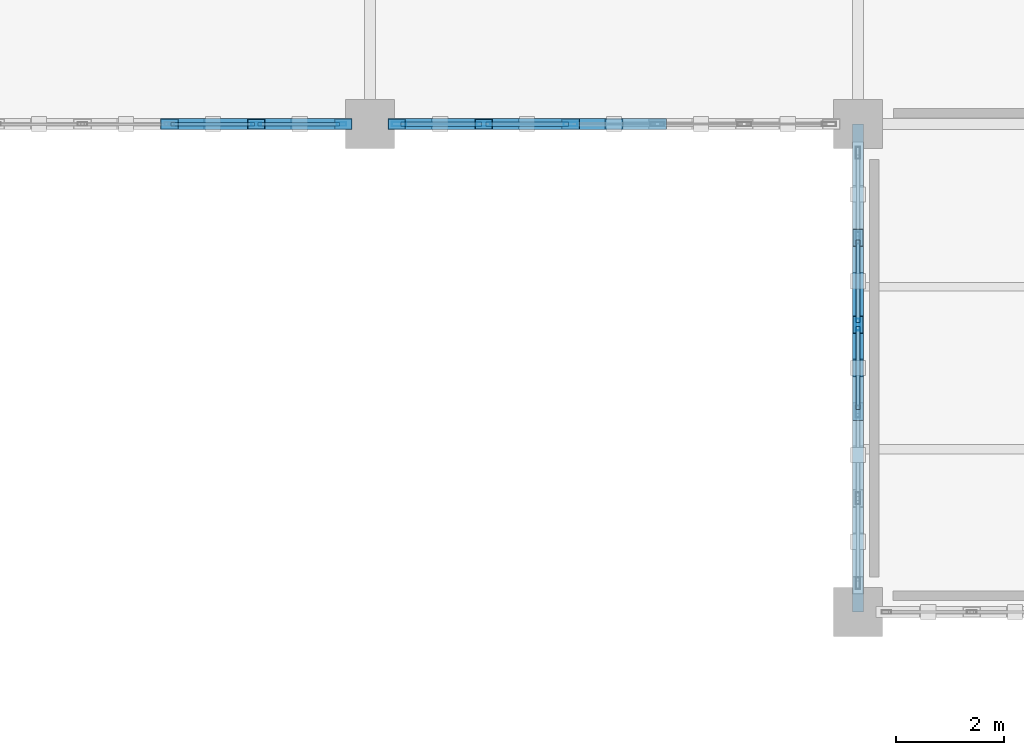
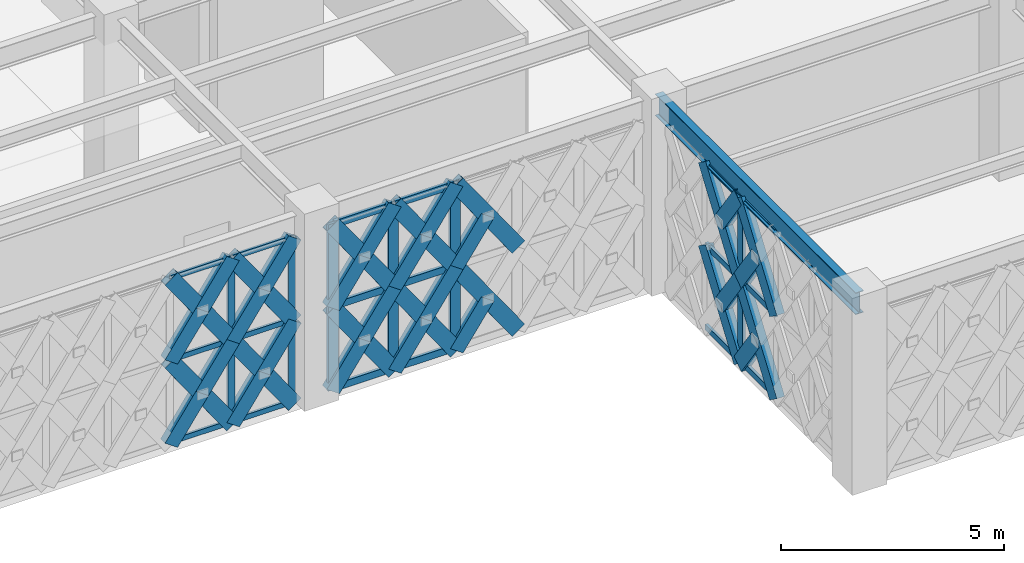
# One storey, part 12 of 155: 60 members, 1 beam, 3 elements without a shape of their own.
"""IFC4 building model written with IfcOpenShell, lengths in metres."""

from ifc_helpers import new_model, si_unit, direction, frame, origin, origin_2d, place, context, subcontext, project, spatial, hollow_rectangle, i_section, extrude, material, material_profile, profile_set, type_object, element, aggregate, save


model = new_model("IFC4")

# Units and contexts
model_context = context("Model", 3, precision=1e-05, world=origin(), true_north=direction((0.0, 1.0)))
body_context = subcontext(model_context, "Body", "Model", "MODEL_VIEW")
ifc_project = project(units=[si_unit("LENGTHUNIT", "METRE"), si_unit("AREAUNIT", "SQUARE_METRE"), si_unit("VOLUMEUNIT", "CUBIC_METRE"), si_unit("PLANEANGLEUNIT", "RADIAN"), si_unit("MASSUNIT", "GRAM", prefix="KILO")], contexts=[model_context])

# Site, building, storey
site_placement = place(None, origin())
site = spatial("IfcSite", under=ifc_project, at=site_placement, CompositionType="ELEMENT")
building_placement = place(site_placement, origin())
building = spatial("IfcBuilding", under=site, at=building_placement, Name="Haizhuo Lancet Aquarium", CompositionType="ELEMENT")
storey_placement = place(building_placement, frame((0.0, 0.0, 10.800048828125)))
storey = spatial("IfcBuildingStorey", under=building, at=storey_placement, Name="L02", CompositionType="ELEMENT", Elevation=10.800048828125)

# Beam
ifc_material_1 = material(Name="Steel S355", Category="steel")
ifc_material_profile_1 = material_profile(ifc_material_1, i_section(OverallWidth=0.199951171875, OverallDepth=0.60009765625, WebThickness=0.010986328125, FlangeThickness=0.01708984375, FilletRadius=0.02197265625, at=origin_2d()), Name="HN 600x200x11x17")
ifc_profile_set_1 = profile_set([ifc_material_profile_1], Name="Steel S355")
beam_type = type_object("IfcBeamType", Name="BM-ST-HN600", PredefinedType="BEAM", material=ifc_profile_set_1)
beam_placement = place(storey_placement, frame((-54.0, -36.0, 4.85986328125), z_axis=(0.0, 1.0, 0.0), x_axis=(-1.0, 0.0, 0.0)))
element("IfcBeam", 1, at=beam_placement, inside=storey, type_object=beam_type, Name="L02 V6 primary girder BM-L02-V6-014", PredefinedType="BEAM", context=body_context, shape_type="SweptSolid", body=[
    extrude(i_section(OverallWidth=0.199951171875, OverallDepth=0.60009765625, WebThickness=0.010986328125, FlangeThickness=0.01708984375, FilletRadius=0.02197265625, at=origin_2d()), origin(), (0.0, 0.0, 1.0), 9.0),
])

# Curtain wall, members
ifc_material_2 = material(Name="Aluminium 6063-T6", Category="aluminium")
curtain_wall_type = type_object("IfcCurtainWallType", Name="CWD-8010x4560", PredefinedType="NOTDEFINED", material=ifc_material_2)
curtain_wall_1_placement = place(storey_placement, origin())
curtain_wall_1 = element("IfcCurtainWall", 2, at=curtain_wall_1_placement, inside=storey, type_object=curtain_wall_type, Name="L02 curtain wall CW-V6-L02-226", PredefinedType="NOTDEFINED")
ifc_material_profile_2 = material_profile(ifc_material_2, hollow_rectangle(XDim=0.06494140625, YDim=0.179931640625, WallThickness=0.00390625, at=origin_2d()), Name="ALU-M 65x180x4")
ifc_profile_set_2 = profile_set([ifc_material_profile_2], Name="Aluminium 6063-T6")
member_type_1 = type_object("IfcMemberType", Name="CW-MUL-1", PredefinedType="MULLION", material=ifc_profile_set_2)
member_1_placement = place(storey_placement, frame((-63.527099609375, -27.0, 0.0), z_axis=(0.0, 0.0, 1.0), x_axis=(0.0, -1.0, 0.0)))
member_1 = element("IfcMember", 3, at=member_1_placement, type_object=member_type_1, Name="CWD-80x45 mullion 1", PredefinedType="MULLION", context=body_context, shape_type="SweptSolid", body=[
    extrude(hollow_rectangle(XDim=0.06494140625, YDim=0.179931640625, WallThickness=0.00390625, at=origin_2d()), origin(), (0.0, 0.0, 1.0), 4.56005859375),
])
member_2_placement = place(storey_placement, frame((-65.096923828125, -27.0, 0.0), z_axis=(0.0, 0.0, 1.0), x_axis=(0.0, -1.0, 0.0)))
member_2 = element("IfcMember", 4, at=member_2_placement, type_object=member_type_1, Name="CWD-80x45 mullion 2", PredefinedType="MULLION", context=body_context, shape_type="SweptSolid", body=[
    extrude(hollow_rectangle(XDim=0.06494140625, YDim=0.179931640625, WallThickness=0.00390625, at=origin_2d()), origin(), (0.0, 0.0, 1.0), 4.56005859375),
])

# Curtain wall, member
curtain_wall_2_placement = place(storey_placement, origin())
curtain_wall_2 = element("IfcCurtainWall", 5, at=curtain_wall_2_placement, inside=storey, type_object=curtain_wall_type, Name="L02 curtain wall CW-V6-L02-224", PredefinedType="NOTDEFINED")
ifc_material_profile_3 = material_profile(ifc_material_2, hollow_rectangle(XDim=0.074951171875, YDim=0.219970703125, WallThickness=0.0048828125, at=origin_2d()), Name="ALU-M 75x220x5")
ifc_profile_set_3 = profile_set([ifc_material_profile_3], Name="Aluminium 6063-T6")
member_type_2 = type_object("IfcMemberType", Name="CW-MUL-2", PredefinedType="MULLION", material=ifc_profile_set_3)
member_3_placement = place(storey_placement, frame((-54.0, -30.698974609375, 0.0), z_axis=(0.0, 0.0, 1.0), x_axis=(-1.0, 0.0, 0.0)))
member_3 = element("IfcMember", 6, at=member_3_placement, type_object=member_type_2, Name="CWD-80x45 mullion 4", PredefinedType="MULLION", context=body_context, shape_type="SweptSolid", body=[
    extrude(hollow_rectangle(XDim=0.074951171875, YDim=0.219970703125, WallThickness=0.0048828125, at=origin_2d()), origin(), (0.0, 0.0, 1.0), 4.56005859375),
])

# Curtain wall, members
curtain_wall_3_placement = place(storey_placement, origin())
curtain_wall_3 = element("IfcCurtainWall", 7, at=curtain_wall_3_placement, inside=storey, type_object=curtain_wall_type, Name="L02 curtain wall CW-V6-L02-225", PredefinedType="NOTDEFINED")
ifc_material_profile_4 = material_profile(ifc_material_2, hollow_rectangle(XDim=0.080078125, YDim=0.260009765625, WallThickness=0.0048828125, at=origin_2d()), Name="ALU-M 80x260x5")
ifc_profile_set_4 = profile_set([ifc_material_profile_4], Name="Aluminium 6063-T6")
member_type_3 = type_object("IfcMemberType", Name="CW-MUL-3", PredefinedType="MULLION", material=ifc_profile_set_4)
member_4_placement = place(storey_placement, frame((-59.301025390625, -27.0, 0.0), z_axis=(0.0, 0.0, 1.0), x_axis=(0.0, -1.0, 0.0)))
member_4 = element("IfcMember", 8, at=member_4_placement, type_object=member_type_3, Name="CWD-80x45 mullion 4", PredefinedType="MULLION", context=body_context, shape_type="SweptSolid", body=[
    extrude(hollow_rectangle(XDim=0.080078125, YDim=0.260009765625, WallThickness=0.0048828125, at=origin_2d()), origin(), (0.0, 0.0, 1.0), 4.56005859375),
])
member_5_placement = place(storey_placement, frame((-60.903076171875, -27.0, 0.0), z_axis=(0.0, 0.0, 1.0), x_axis=(0.0, -1.0, 0.0)))
member_5 = element("IfcMember", 9, at=member_5_placement, type_object=member_type_3, Name="CWD-80x45 mullion 5", PredefinedType="MULLION", context=body_context, shape_type="SweptSolid", body=[
    extrude(hollow_rectangle(XDim=0.080078125, YDim=0.260009765625, WallThickness=0.0048828125, at=origin_2d()), origin(), (0.0, 0.0, 1.0), 4.56005859375),
])
member_6_placement = place(storey_placement, frame((-62.465087890625, -27.0, 0.0), z_axis=(0.0, 0.0, 1.0), x_axis=(0.0, -1.0, 0.0)))
member_6 = element("IfcMember", 10, at=member_6_placement, type_object=member_type_3, Name="CWD-80x45 mullion 6", PredefinedType="MULLION", context=body_context, shape_type="SweptSolid", body=[
    extrude(hollow_rectangle(XDim=0.080078125, YDim=0.260009765625, WallThickness=0.0048828125, at=origin_2d()), origin(), (0.0, 0.0, 1.0), 4.56005859375),
])

# Member
ifc_material_profile_5 = material_profile(ifc_material_2, hollow_rectangle(XDim=0.06494140625, YDim=0.139892578125, WallThickness=0.00390625, at=origin_2d()), Name="ALU-T 65x140x4")
ifc_profile_set_5 = profile_set([ifc_material_profile_5], Name="Aluminium 6063-T6")
member_type_4 = type_object("IfcMemberType", Name="CW-TRN-1", PredefinedType="NOTDEFINED", material=ifc_profile_set_5)
member_7_placement = place(storey_placement, frame((-63.56005859375, -27.0, 0.032958984375), z_axis=(-1.0, 0.0, 0.0), x_axis=(0.0, -1.0, 0.0)))
member_7 = element("IfcMember", 11, at=member_7_placement, type_object=member_type_4, Name="CWD-80x45 transom 1.1", ObjectType="TRANSOM", PredefinedType="USERDEFINED", context=body_context, shape_type="SweptSolid", body=[
    extrude(hollow_rectangle(XDim=0.06494140625, YDim=0.139892578125, WallThickness=0.00390625, at=origin_2d()), origin(), (0.0, 0.0, 1.0), 1.50390625),
])

member_8_placement = place(storey_placement, frame((-63.56005859375, -27.0, 2.280029296875), z_axis=(-1.0, 0.0, 0.0), x_axis=(0.0, -1.0, 0.0)))
member_8 = element("IfcMember", 12, at=member_8_placement, type_object=member_type_4, Name="CWD-80x45 transom 1.2", ObjectType="TRANSOM", PredefinedType="USERDEFINED", context=body_context, shape_type="SweptSolid", body=[
    extrude(hollow_rectangle(XDim=0.06494140625, YDim=0.139892578125, WallThickness=0.00390625, at=origin_2d()), origin(), (0.0, 0.0, 1.0), 1.50390625),
])

member_9_placement = place(storey_placement, frame((-63.56005859375, -27.0, 4.52685546875), z_axis=(-1.0, 0.0, 0.0), x_axis=(0.0, -1.0, 0.0)))
member_9 = element("IfcMember", 13, at=member_9_placement, type_object=member_type_4, Name="CWD-80x45 transom 1.3", ObjectType="TRANSOM", PredefinedType="USERDEFINED", context=body_context, shape_type="SweptSolid", body=[
    extrude(hollow_rectangle(XDim=0.06494140625, YDim=0.139892578125, WallThickness=0.00390625, at=origin_2d()), origin(), (0.0, 0.0, 1.0), 1.50390625),
])

member_10_placement = place(storey_placement, frame((-65.12890625, -27.0, 0.032958984375), z_axis=(-1.0, 0.0, 0.0), x_axis=(0.0, -1.0, 0.0)))
member_10 = element("IfcMember", 14, at=member_10_placement, type_object=member_type_4, Name="CWD-80x45 transom 2.1", ObjectType="TRANSOM", PredefinedType="USERDEFINED", context=body_context, shape_type="SweptSolid", body=[
    extrude(hollow_rectangle(XDim=0.06494140625, YDim=0.139892578125, WallThickness=0.00390625, at=origin_2d()), origin(), (0.0, 0.0, 1.0), 1.537109375),
])

member_11_placement = place(storey_placement, frame((-65.12890625, -27.0, 2.280029296875), z_axis=(-1.0, 0.0, 0.0), x_axis=(0.0, -1.0, 0.0)))
member_11 = element("IfcMember", 15, at=member_11_placement, type_object=member_type_4, Name="CWD-80x45 transom 2.2", ObjectType="TRANSOM", PredefinedType="USERDEFINED", context=body_context, shape_type="SweptSolid", body=[
    extrude(hollow_rectangle(XDim=0.06494140625, YDim=0.139892578125, WallThickness=0.00390625, at=origin_2d()), origin(), (0.0, 0.0, 1.0), 1.537109375),
])

member_12_placement = place(storey_placement, frame((-65.12890625, -27.0, 4.52685546875), z_axis=(-1.0, 0.0, 0.0), x_axis=(0.0, -1.0, 0.0)))
member_12 = element("IfcMember", 16, at=member_12_placement, type_object=member_type_4, Name="CWD-80x45 transom 2.3", ObjectType="TRANSOM", PredefinedType="USERDEFINED", context=body_context, shape_type="SweptSolid", body=[
    extrude(hollow_rectangle(XDim=0.06494140625, YDim=0.139892578125, WallThickness=0.00390625, at=origin_2d()), origin(), (0.0, 0.0, 1.0), 1.537109375),
])

aggregate(curtain_wall_1, [member_1, member_2, member_7, member_8, member_9, member_10, member_11, member_12])

ifc_material_profile_6 = material_profile(ifc_material_2, hollow_rectangle(XDim=0.074951171875, YDim=0.159912109375, WallThickness=0.00390625, at=origin_2d()), Name="ALU-T 75x160x4")
ifc_profile_set_6 = profile_set([ifc_material_profile_6], Name="Aluminium 6063-T6")
member_type_5 = type_object("IfcMemberType", Name="CW-TRN-2", PredefinedType="NOTDEFINED", material=ifc_profile_set_6)
member_13_placement = place(storey_placement, frame((-54.0, -32.263916015625, 0.037841796875), z_axis=(0.0, 1.0, 0.0), x_axis=(-1.0, 0.0, 0.0)))
member_13 = element("IfcMember", 17, at=member_13_placement, type_object=member_type_5, Name="CWD-80x45 transom 3.1", ObjectType="TRANSOM", PredefinedType="USERDEFINED", context=body_context, shape_type="SweptSolid", body=[
    extrude(hollow_rectangle(XDim=0.074951171875, YDim=0.159912109375, WallThickness=0.00390625, at=origin_2d()), origin(), (0.0, 0.0, 1.0), 1.52783203125),
])

member_14_placement = place(storey_placement, frame((-54.0, -32.263916015625, 2.280029296875), z_axis=(0.0, 1.0, 0.0), x_axis=(-1.0, 0.0, 0.0)))
member_14 = element("IfcMember", 18, at=member_14_placement, type_object=member_type_5, Name="CWD-80x45 transom 3.2", ObjectType="TRANSOM", PredefinedType="USERDEFINED", context=body_context, shape_type="SweptSolid", body=[
    extrude(hollow_rectangle(XDim=0.074951171875, YDim=0.159912109375, WallThickness=0.00390625, at=origin_2d()), origin(), (0.0, 0.0, 1.0), 1.52783203125),
])

member_15_placement = place(storey_placement, frame((-54.0, -32.263916015625, 4.52197265625), z_axis=(0.0, 1.0, 0.0), x_axis=(-1.0, 0.0, 0.0)))
member_15 = element("IfcMember", 19, at=member_15_placement, type_object=member_type_5, Name="CWD-80x45 transom 3.3", ObjectType="TRANSOM", PredefinedType="USERDEFINED", context=body_context, shape_type="SweptSolid", body=[
    extrude(hollow_rectangle(XDim=0.074951171875, YDim=0.159912109375, WallThickness=0.00390625, at=origin_2d()), origin(), (0.0, 0.0, 1.0), 1.52783203125),
])

member_16_placement = place(storey_placement, frame((-54.0, -30.662109375, 0.037841796875), z_axis=(0.0, 1.0, 0.0), x_axis=(-1.0, 0.0, 0.0)))
member_16 = element("IfcMember", 20, at=member_16_placement, type_object=member_type_5, Name="CWD-80x45 transom 4.1", ObjectType="TRANSOM", PredefinedType="USERDEFINED", context=body_context, shape_type="SweptSolid", body=[
    extrude(hollow_rectangle(XDim=0.074951171875, YDim=0.159912109375, WallThickness=0.00390625, at=origin_2d()), origin(), (0.0, 0.0, 1.0), 1.527099609375),
])

member_17_placement = place(storey_placement, frame((-54.0, -30.662109375, 2.280029296875), z_axis=(0.0, 1.0, 0.0), x_axis=(-1.0, 0.0, 0.0)))
member_17 = element("IfcMember", 21, at=member_17_placement, type_object=member_type_5, Name="CWD-80x45 transom 4.2", ObjectType="TRANSOM", PredefinedType="USERDEFINED", context=body_context, shape_type="SweptSolid", body=[
    extrude(hollow_rectangle(XDim=0.074951171875, YDim=0.159912109375, WallThickness=0.00390625, at=origin_2d()), origin(), (0.0, 0.0, 1.0), 1.527099609375),
])

member_18_placement = place(storey_placement, frame((-54.0, -30.662109375, 4.52197265625), z_axis=(0.0, 1.0, 0.0), x_axis=(-1.0, 0.0, 0.0)))
member_18 = element("IfcMember", 22, at=member_18_placement, type_object=member_type_5, Name="CWD-80x45 transom 4.3", ObjectType="TRANSOM", PredefinedType="USERDEFINED", context=body_context, shape_type="SweptSolid", body=[
    extrude(hollow_rectangle(XDim=0.074951171875, YDim=0.159912109375, WallThickness=0.00390625, at=origin_2d()), origin(), (0.0, 0.0, 1.0), 1.527099609375),
])

aggregate(curtain_wall_2, [member_3, member_13, member_14, member_15, member_16, member_17, member_18])

ifc_material_profile_7 = material_profile(ifc_material_2, hollow_rectangle(XDim=0.080078125, YDim=0.18994140625, WallThickness=0.0048828125, at=origin_2d()), Name="ALU-T 80x190x5")
ifc_profile_set_7 = profile_set([ifc_material_profile_7], Name="Aluminium 6063-T6")
member_type_6 = type_object("IfcMemberType", Name="CW-TRN-3", PredefinedType="NOTDEFINED", material=ifc_profile_set_7)
member_19_placement = place(storey_placement, frame((-59.341064453125, -27.0, 0.0400390625), z_axis=(-1.0, 0.0, 0.0), x_axis=(0.0, -1.0, 0.0)))
member_19 = element("IfcMember", 23, at=member_19_placement, type_object=member_type_6, Name="CWD-80x45 transom 4.1", ObjectType="TRANSOM", PredefinedType="USERDEFINED", context=body_context, shape_type="SweptSolid", body=[
    extrude(hollow_rectangle(XDim=0.080078125, YDim=0.18994140625, WallThickness=0.0048828125, at=origin_2d()), origin(), (0.0, 0.0, 1.0), 1.52197265625),
])

member_20_placement = place(storey_placement, frame((-59.341064453125, -27.0, 2.280029296875), z_axis=(-1.0, 0.0, 0.0), x_axis=(0.0, -1.0, 0.0)))
member_20 = element("IfcMember", 24, at=member_20_placement, type_object=member_type_6, Name="CWD-80x45 transom 4.2", ObjectType="TRANSOM", PredefinedType="USERDEFINED", context=body_context, shape_type="SweptSolid", body=[
    extrude(hollow_rectangle(XDim=0.080078125, YDim=0.18994140625, WallThickness=0.0048828125, at=origin_2d()), origin(), (0.0, 0.0, 1.0), 1.52197265625),
])

member_21_placement = place(storey_placement, frame((-59.341064453125, -27.0, 4.52001953125), z_axis=(-1.0, 0.0, 0.0), x_axis=(0.0, -1.0, 0.0)))
member_21 = element("IfcMember", 25, at=member_21_placement, type_object=member_type_6, Name="CWD-80x45 transom 4.3", ObjectType="TRANSOM", PredefinedType="USERDEFINED", context=body_context, shape_type="SweptSolid", body=[
    extrude(hollow_rectangle(XDim=0.080078125, YDim=0.18994140625, WallThickness=0.0048828125, at=origin_2d()), origin(), (0.0, 0.0, 1.0), 1.52197265625),
])

member_22_placement = place(storey_placement, frame((-60.943115234375, -27.0, 0.0400390625), z_axis=(-1.0, 0.0, 0.0), x_axis=(0.0, -1.0, 0.0)))
member_22 = element("IfcMember", 26, at=member_22_placement, type_object=member_type_6, Name="CWD-80x45 transom 5.1", ObjectType="TRANSOM", PredefinedType="USERDEFINED", context=body_context, shape_type="SweptSolid", body=[
    extrude(hollow_rectangle(XDim=0.080078125, YDim=0.18994140625, WallThickness=0.0048828125, at=origin_2d()), origin(), (0.0, 0.0, 1.0), 1.48193359375),
])

member_23_placement = place(storey_placement, frame((-60.943115234375, -27.0, 2.280029296875), z_axis=(-1.0, 0.0, 0.0), x_axis=(0.0, -1.0, 0.0)))
member_23 = element("IfcMember", 27, at=member_23_placement, type_object=member_type_6, Name="CWD-80x45 transom 5.2", ObjectType="TRANSOM", PredefinedType="USERDEFINED", context=body_context, shape_type="SweptSolid", body=[
    extrude(hollow_rectangle(XDim=0.080078125, YDim=0.18994140625, WallThickness=0.0048828125, at=origin_2d()), origin(), (0.0, 0.0, 1.0), 1.48193359375),
])

member_24_placement = place(storey_placement, frame((-60.943115234375, -27.0, 4.52001953125), z_axis=(-1.0, 0.0, 0.0), x_axis=(0.0, -1.0, 0.0)))
member_24 = element("IfcMember", 28, at=member_24_placement, type_object=member_type_6, Name="CWD-80x45 transom 5.3", ObjectType="TRANSOM", PredefinedType="USERDEFINED", context=body_context, shape_type="SweptSolid", body=[
    extrude(hollow_rectangle(XDim=0.080078125, YDim=0.18994140625, WallThickness=0.0048828125, at=origin_2d()), origin(), (0.0, 0.0, 1.0), 1.48193359375),
])

aggregate(curtain_wall_3, [member_4, member_5, member_6, member_19, member_20, member_21, member_22, member_23, member_24])

# Members
ifc_material_profile_8 = material_profile(ifc_material_1, hollow_rectangle(XDim=0.199951171875, YDim=0.39990234375, WallThickness=0.011962890625, at=origin_2d()), Name="RHS 200x400x12")
ifc_profile_set_8 = profile_set([ifc_material_profile_8], Name="Steel S355")
member_type_7 = type_object("IfcMemberType", Name="MEM-LB-RHS200x400", PredefinedType="BRACE", material=ifc_profile_set_8)
member_25_placement = place(storey_placement, frame((-54.0, -32.301025390625, 0.0), z_axis=(0.0, 0.574913812948, 0.818213974264), x_axis=(-1.0, 0.0, 0.0)))
element("IfcMember", 29, at=member_25_placement, inside=storey, type_object=member_type_7, Name="Gothic lancet continuous diagonal brace CW-V6-L02-224 5A", PredefinedType="BRACE", context=body_context, shape_type="SweptSolid", body=[
    extrude(hollow_rectangle(XDim=0.199951171875, YDim=0.39990234375, WallThickness=0.011962890625, at=origin_2d()), origin(), (0.0, 0.0, 1.0), 2.78662109375),
])
member_26_placement = place(storey_placement, frame((-54.0, -30.698974609375, 0.0), z_axis=(0.0, -0.574955028356, 0.818185012921), x_axis=(1.0, 0.0, 0.0)))
element("IfcMember", 30, at=member_26_placement, inside=storey, type_object=member_type_7, Name="Gothic lancet split diagonal brace CW-V6-L02-224 5B1", PredefinedType="BRACE", context=body_context, shape_type="SweptSolid", body=[
    extrude(hollow_rectangle(XDim=0.199951171875, YDim=0.39990234375, WallThickness=0.011962890625, at=origin_2d()), origin(), (0.0, 0.0, 1.0), 1.393310546875),
])
member_27_placement = place(storey_placement, frame((-54.0, -32.301025390625, 2.280029296875), z_axis=(0.0, 0.574913812948, 0.818213974264), x_axis=(-1.0, 0.0, 0.0)))
element("IfcMember", 31, at=member_27_placement, inside=storey, type_object=member_type_7, Name="Gothic lancet continuous diagonal brace CW-V6-L02-224 6A", PredefinedType="BRACE", context=body_context, shape_type="SweptSolid", body=[
    extrude(hollow_rectangle(XDim=0.199951171875, YDim=0.39990234375, WallThickness=0.011962890625, at=origin_2d()), origin(), (0.0, 0.0, 1.0), 2.78662109375),
])
member_28_placement = place(storey_placement, frame((-54.0, -30.698974609375, 2.280029296875), z_axis=(0.0, -0.574955028356, 0.818185012921), x_axis=(1.0, 0.0, 0.0)))
element("IfcMember", 32, at=member_28_placement, inside=storey, type_object=member_type_7, Name="Gothic lancet split diagonal brace CW-V6-L02-224 6B1", PredefinedType="BRACE", context=body_context, shape_type="SweptSolid", body=[
    extrude(hollow_rectangle(XDim=0.199951171875, YDim=0.39990234375, WallThickness=0.011962890625, at=origin_2d()), origin(), (0.0, 0.0, 1.0), 1.393310546875),
])
member_29_placement = place(storey_placement, frame((-54.0, -30.698974609375, 0.0), z_axis=(0.0, 0.574913812948, 0.818213974264), x_axis=(-1.0, 0.0, 0.0)))
element("IfcMember", 33, at=member_29_placement, inside=storey, type_object=member_type_7, Name="Gothic lancet continuous diagonal brace CW-V6-L02-224 7A", PredefinedType="BRACE", context=body_context, shape_type="SweptSolid", body=[
    extrude(hollow_rectangle(XDim=0.199951171875, YDim=0.39990234375, WallThickness=0.011962890625, at=origin_2d()), origin(), (0.0, 0.0, 1.0), 2.78662109375),
])
member_30_placement = place(storey_placement, frame((-54.0, -29.89794921875, 1.139892578125), z_axis=(0.0, -0.574872601991, 0.81824292938), x_axis=(1.0, 0.0, 0.0)))
element("IfcMember", 34, at=member_30_placement, inside=storey, type_object=member_type_7, Name="Gothic lancet split diagonal brace CW-V6-L02-224 7B2", PredefinedType="BRACE", context=body_context, shape_type="SweptSolid", body=[
    extrude(hollow_rectangle(XDim=0.199951171875, YDim=0.39990234375, WallThickness=0.011962890625, at=origin_2d()), origin(), (0.0, 0.0, 1.0), 1.393310546875),
])
member_31_placement = place(storey_placement, frame((-54.0, -30.698974609375, 2.280029296875), z_axis=(0.0, 0.574913812948, 0.818213974264), x_axis=(-1.0, 0.0, 0.0)))
element("IfcMember", 35, at=member_31_placement, inside=storey, type_object=member_type_7, Name="Gothic lancet continuous diagonal brace CW-V6-L02-224 8A", PredefinedType="BRACE", context=body_context, shape_type="SweptSolid", body=[
    extrude(hollow_rectangle(XDim=0.199951171875, YDim=0.39990234375, WallThickness=0.011962890625, at=origin_2d()), origin(), (0.0, 0.0, 1.0), 2.78662109375),
])
member_32_placement = place(storey_placement, frame((-54.0, -29.89794921875, 3.419921875), z_axis=(0.0, -0.574872601991, 0.81824292938), x_axis=(1.0, 0.0, 0.0)))
element("IfcMember", 36, at=member_32_placement, inside=storey, type_object=member_type_7, Name="Gothic lancet split diagonal brace CW-V6-L02-224 8B2", PredefinedType="BRACE", context=body_context, shape_type="SweptSolid", body=[
    extrude(hollow_rectangle(XDim=0.199951171875, YDim=0.39990234375, WallThickness=0.011962890625, at=origin_2d()), origin(), (0.0, 0.0, 1.0), 1.393310546875),
])
member_33_placement = place(storey_placement, frame((-57.698974609375, -27.0, 0.0), z_axis=(-0.574913812948, 0.0, 0.818213974264), x_axis=(0.0, -1.0, 0.0)))
element("IfcMember", 37, at=member_33_placement, inside=storey, type_object=member_type_7, Name="Gothic lancet continuous diagonal brace CW-V6-L02-225 5A", PredefinedType="BRACE", context=body_context, shape_type="SweptSolid", body=[
    extrude(hollow_rectangle(XDim=0.199951171875, YDim=0.39990234375, WallThickness=0.011962890625, at=origin_2d()), origin(), (0.0, 0.0, 1.0), 2.78662109375),
])
member_34_placement = place(storey_placement, frame((-59.301025390625, -27.0, 0.0), z_axis=(0.574955028356, 0.0, 0.818185012921), x_axis=(0.0, 1.0, 0.0)))
element("IfcMember", 38, at=member_34_placement, inside=storey, type_object=member_type_7, Name="Gothic lancet split diagonal brace CW-V6-L02-225 5B1", PredefinedType="BRACE", context=body_context, shape_type="SweptSolid", body=[
    extrude(hollow_rectangle(XDim=0.199951171875, YDim=0.39990234375, WallThickness=0.011962890625, at=origin_2d()), origin(), (0.0, 0.0, 1.0), 1.393310546875),
])
member_35_placement = place(storey_placement, frame((-57.698974609375, -27.0, 2.280029296875), z_axis=(-0.574913812948, 0.0, 0.818213974264), x_axis=(0.0, -1.0, 0.0)))
element("IfcMember", 39, at=member_35_placement, inside=storey, type_object=member_type_7, Name="Gothic lancet continuous diagonal brace CW-V6-L02-225 6A", PredefinedType="BRACE", context=body_context, shape_type="SweptSolid", body=[
    extrude(hollow_rectangle(XDim=0.199951171875, YDim=0.39990234375, WallThickness=0.011962890625, at=origin_2d()), origin(), (0.0, 0.0, 1.0), 2.78662109375),
])
member_36_placement = place(storey_placement, frame((-59.301025390625, -27.0, 2.280029296875), z_axis=(0.574955028356, 0.0, 0.818185012921), x_axis=(0.0, 1.0, 0.0)))
element("IfcMember", 40, at=member_36_placement, inside=storey, type_object=member_type_7, Name="Gothic lancet split diagonal brace CW-V6-L02-225 6B1", PredefinedType="BRACE", context=body_context, shape_type="SweptSolid", body=[
    extrude(hollow_rectangle(XDim=0.199951171875, YDim=0.39990234375, WallThickness=0.011962890625, at=origin_2d()), origin(), (0.0, 0.0, 1.0), 1.393310546875),
])
member_37_placement = place(storey_placement, frame((-59.301025390625, -27.0, 0.0), z_axis=(-0.574913812948, 0.0, 0.818213974264), x_axis=(0.0, -1.0, 0.0)))
element("IfcMember", 41, at=member_37_placement, inside=storey, type_object=member_type_7, Name="Gothic lancet continuous diagonal brace CW-V6-L02-225 7A", PredefinedType="BRACE", context=body_context, shape_type="SweptSolid", body=[
    extrude(hollow_rectangle(XDim=0.199951171875, YDim=0.39990234375, WallThickness=0.011962890625, at=origin_2d()), origin(), (0.0, 0.0, 1.0), 2.78662109375),
])
for number, where, z_axis, x_axis, name in (
    (42, (-60.903076171875, -27.0, 0.0), (0.574955028356, 0.0, 0.818185012921), (0.0, 1.0, 0.0), "Gothic lancet split diagonal brace CW-V6-L02-225 7B1"),
    (43, (-60.10205078125, -27.0, 1.139892578125), (0.574872601991, 0.0, 0.81824292938), (0.0, 1.0, 0.0), "Gothic lancet split diagonal brace CW-V6-L02-225 7B2"),
):
    element("IfcMember", number, at=place(storey_placement, frame(where, z_axis=z_axis, x_axis=x_axis)), inside=storey, type_object=member_type_7, Name=name, PredefinedType="BRACE", context=body_context, shape_type="SweptSolid", body=[
        extrude(hollow_rectangle(XDim=0.199951171875, YDim=0.39990234375, WallThickness=0.011962890625, at=origin_2d()), origin(), (0.0, 0.0, 1.0), 1.393310546875),
    ])
member_38_placement = place(storey_placement, frame((-59.301025390625, -27.0, 2.280029296875), z_axis=(-0.574913812948, 0.0, 0.818213974264), x_axis=(0.0, -1.0, 0.0)))
element("IfcMember", 44, at=member_38_placement, inside=storey, type_object=member_type_7, Name="Gothic lancet continuous diagonal brace CW-V6-L02-225 8A", PredefinedType="BRACE", context=body_context, shape_type="SweptSolid", body=[
    extrude(hollow_rectangle(XDim=0.199951171875, YDim=0.39990234375, WallThickness=0.011962890625, at=origin_2d()), origin(), (0.0, 0.0, 1.0), 2.78662109375),
])
for number, where, z_axis, x_axis, name in (
    (45, (-60.903076171875, -27.0, 2.280029296875), (0.574955028356, 0.0, 0.818185012921), (0.0, 1.0, 0.0), "Gothic lancet split diagonal brace CW-V6-L02-225 8B1"),
    (46, (-60.10205078125, -27.0, 3.419921875), (0.574872601991, 0.0, 0.81824292938), (0.0, 1.0, 0.0), "Gothic lancet split diagonal brace CW-V6-L02-225 8B2"),
):
    element("IfcMember", number, at=place(storey_placement, frame(where, z_axis=z_axis, x_axis=x_axis)), inside=storey, type_object=member_type_7, Name=name, PredefinedType="BRACE", context=body_context, shape_type="SweptSolid", body=[
        extrude(hollow_rectangle(XDim=0.199951171875, YDim=0.39990234375, WallThickness=0.011962890625, at=origin_2d()), origin(), (0.0, 0.0, 1.0), 1.393310546875),
    ])
member_39_placement = place(storey_placement, frame((-60.903076171875, -27.0, 0.0), z_axis=(-0.574855154156, 0.0, 0.81825518742), x_axis=(0.0, -1.0, 0.0)))
element("IfcMember", 47, at=member_39_placement, inside=storey, type_object=member_type_7, Name="Gothic lancet continuous diagonal brace CW-V6-L02-225 9A", PredefinedType="BRACE", context=body_context, shape_type="SweptSolid", body=[
    extrude(hollow_rectangle(XDim=0.199951171875, YDim=0.39990234375, WallThickness=0.011962890625, at=origin_2d()), origin(), (0.0, 0.0, 1.0), 2.786376953125),
])
member_40_placement = place(storey_placement, frame((-62.5048828125, -27.0, 0.0), z_axis=(0.5748377018, 0.0, 0.818267448081), x_axis=(0.0, 1.0, 0.0)))
element("IfcMember", 48, at=member_40_placement, inside=storey, type_object=member_type_7, Name="Gothic lancet split diagonal brace CW-V6-L02-225 9B1", PredefinedType="BRACE", context=body_context, shape_type="SweptSolid", body=[
    extrude(hollow_rectangle(XDim=0.199951171875, YDim=0.39990234375, WallThickness=0.011962890625, at=origin_2d()), origin(), (0.0, 0.0, 1.0), 1.39306640625),
])
member_41_placement = place(storey_placement, frame((-61.7041015625, -27.0, 1.139892578125), z_axis=(0.574872601991, 0.0, 0.81824292938), x_axis=(0.0, 1.0, 0.0)))
element("IfcMember", 49, at=member_41_placement, inside=storey, type_object=member_type_7, Name="Gothic lancet split diagonal brace CW-V6-L02-225 9B2", PredefinedType="BRACE", context=body_context, shape_type="SweptSolid", body=[
    extrude(hollow_rectangle(XDim=0.199951171875, YDim=0.39990234375, WallThickness=0.011962890625, at=origin_2d()), origin(), (0.0, 0.0, 1.0), 1.393310546875),
])
member_42_placement = place(storey_placement, frame((-60.903076171875, -27.0, 2.280029296875), z_axis=(-0.574855154156, 0.0, 0.81825518742), x_axis=(0.0, -1.0, 0.0)))
element("IfcMember", 50, at=member_42_placement, inside=storey, type_object=member_type_7, Name="Gothic lancet continuous diagonal brace CW-V6-L02-225 10A", PredefinedType="BRACE", context=body_context, shape_type="SweptSolid", body=[
    extrude(hollow_rectangle(XDim=0.199951171875, YDim=0.39990234375, WallThickness=0.011962890625, at=origin_2d()), origin(), (0.0, 0.0, 1.0), 2.786376953125),
])
member_43_placement = place(storey_placement, frame((-62.5048828125, -27.0, 2.280029296875), z_axis=(0.5748377018, 0.0, 0.818267448081), x_axis=(0.0, 1.0, 0.0)))
element("IfcMember", 51, at=member_43_placement, inside=storey, type_object=member_type_7, Name="Gothic lancet split diagonal brace CW-V6-L02-225 10B1", PredefinedType="BRACE", context=body_context, shape_type="SweptSolid", body=[
    extrude(hollow_rectangle(XDim=0.199951171875, YDim=0.39990234375, WallThickness=0.011962890625, at=origin_2d()), origin(), (0.0, 0.0, 1.0), 1.39306640625),
])
member_44_placement = place(storey_placement, frame((-61.7041015625, -27.0, 3.419921875), z_axis=(0.574872601991, 0.0, 0.81824292938), x_axis=(0.0, 1.0, 0.0)))
element("IfcMember", 52, at=member_44_placement, inside=storey, type_object=member_type_7, Name="Gothic lancet split diagonal brace CW-V6-L02-225 10B2", PredefinedType="BRACE", context=body_context, shape_type="SweptSolid", body=[
    extrude(hollow_rectangle(XDim=0.199951171875, YDim=0.39990234375, WallThickness=0.011962890625, at=origin_2d()), origin(), (0.0, 0.0, 1.0), 1.393310546875),
])
member_45_placement = place(storey_placement, frame((-63.4951171875, -27.0, 0.0), z_axis=(-0.574855154156, 0.0, 0.81825518742), x_axis=(0.0, -1.0, 0.0)))
element("IfcMember", 53, at=member_45_placement, inside=storey, type_object=member_type_7, Name="Gothic lancet continuous diagonal brace CW-V6-L02-226 1A", PredefinedType="BRACE", context=body_context, shape_type="SweptSolid", body=[
    extrude(hollow_rectangle(XDim=0.199951171875, YDim=0.39990234375, WallThickness=0.011962890625, at=origin_2d()), origin(), (0.0, 0.0, 1.0), 2.786376953125),
])
for number, where, z_axis, x_axis, name in (
    (54, (-65.096923828125, -27.0, 0.0), (0.574955028356, 0.0, 0.818185012921), (0.0, 1.0, 0.0), "Gothic lancet split diagonal brace CW-V6-L02-226 1B1"),
    (55, (-64.2958984375, -27.0, 1.139892578125), (0.574755275652, 0.0, 0.818325346736), (0.0, 1.0, 0.0), "Gothic lancet split diagonal brace CW-V6-L02-226 1B2"),
):
    element("IfcMember", number, at=place(storey_placement, frame(where, z_axis=z_axis, x_axis=x_axis)), inside=storey, type_object=member_type_7, Name=name, PredefinedType="BRACE", context=body_context, shape_type="SweptSolid", body=[
        extrude(hollow_rectangle(XDim=0.199951171875, YDim=0.39990234375, WallThickness=0.011962890625, at=origin_2d()), origin(), (0.0, 0.0, 1.0), 1.393310546875),
    ])
member_46_placement = place(storey_placement, frame((-63.4951171875, -27.0, 2.280029296875), z_axis=(-0.574855154156, 0.0, 0.81825518742), x_axis=(0.0, -1.0, 0.0)))
element("IfcMember", 56, at=member_46_placement, inside=storey, type_object=member_type_7, Name="Gothic lancet continuous diagonal brace CW-V6-L02-226 2A", PredefinedType="BRACE", context=body_context, shape_type="SweptSolid", body=[
    extrude(hollow_rectangle(XDim=0.199951171875, YDim=0.39990234375, WallThickness=0.011962890625, at=origin_2d()), origin(), (0.0, 0.0, 1.0), 2.786376953125),
])
for number, where, z_axis, x_axis, name in (
    (57, (-65.096923828125, -27.0, 2.280029296875), (0.574955028356, 0.0, 0.818185012921), (0.0, 1.0, 0.0), "Gothic lancet split diagonal brace CW-V6-L02-226 2B1"),
    (58, (-64.2958984375, -27.0, 3.419921875), (0.574755275652, 0.0, 0.818325346736), (0.0, 1.0, 0.0), "Gothic lancet split diagonal brace CW-V6-L02-226 2B2"),
):
    element("IfcMember", number, at=place(storey_placement, frame(where, z_axis=z_axis, x_axis=x_axis)), inside=storey, type_object=member_type_7, Name=name, PredefinedType="BRACE", context=body_context, shape_type="SweptSolid", body=[
        extrude(hollow_rectangle(XDim=0.199951171875, YDim=0.39990234375, WallThickness=0.011962890625, at=origin_2d()), origin(), (0.0, 0.0, 1.0), 1.393310546875),
    ])
member_47_placement = place(storey_placement, frame((-65.096923828125, -27.0, 0.0), z_axis=(-0.574913812948, 0.0, 0.818213974264), x_axis=(0.0, -1.0, 0.0)))
element("IfcMember", 59, at=member_47_placement, inside=storey, type_object=member_type_7, Name="Gothic lancet continuous diagonal brace CW-V6-L02-226 3A", PredefinedType="BRACE", context=body_context, shape_type="SweptSolid", body=[
    extrude(hollow_rectangle(XDim=0.199951171875, YDim=0.39990234375, WallThickness=0.011962890625, at=origin_2d()), origin(), (0.0, 0.0, 1.0), 2.78662109375),
])
for number, where, z_axis, x_axis, name in (
    (60, (-66.698974609375, -27.0, 0.0), (0.574955028356, 0.0, 0.818185012921), (0.0, 1.0, 0.0), "Gothic lancet split diagonal brace CW-V6-L02-226 3B1"),
    (61, (-65.89794921875, -27.0, 1.139892578125), (0.574872601991, 0.0, 0.81824292938), (0.0, 1.0, 0.0), "Gothic lancet split diagonal brace CW-V6-L02-226 3B2"),
):
    element("IfcMember", number, at=place(storey_placement, frame(where, z_axis=z_axis, x_axis=x_axis)), inside=storey, type_object=member_type_7, Name=name, PredefinedType="BRACE", context=body_context, shape_type="SweptSolid", body=[
        extrude(hollow_rectangle(XDim=0.199951171875, YDim=0.39990234375, WallThickness=0.011962890625, at=origin_2d()), origin(), (0.0, 0.0, 1.0), 1.393310546875),
    ])
member_48_placement = place(storey_placement, frame((-65.096923828125, -27.0, 2.280029296875), z_axis=(-0.574913812948, 0.0, 0.818213974264), x_axis=(0.0, -1.0, 0.0)))
element("IfcMember", 62, at=member_48_placement, inside=storey, type_object=member_type_7, Name="Gothic lancet continuous diagonal brace CW-V6-L02-226 4A", PredefinedType="BRACE", context=body_context, shape_type="SweptSolid", body=[
    extrude(hollow_rectangle(XDim=0.199951171875, YDim=0.39990234375, WallThickness=0.011962890625, at=origin_2d()), origin(), (0.0, 0.0, 1.0), 2.78662109375),
])
for number, where, z_axis, x_axis, name in (
    (63, (-66.698974609375, -27.0, 2.280029296875), (0.574955028356, 0.0, 0.818185012921), (0.0, 1.0, 0.0), "Gothic lancet split diagonal brace CW-V6-L02-226 4B1"),
    (64, (-65.89794921875, -27.0, 3.419921875), (0.574872601991, 0.0, 0.81824292938), (0.0, 1.0, 0.0), "Gothic lancet split diagonal brace CW-V6-L02-226 4B2"),
):
    element("IfcMember", number, at=place(storey_placement, frame(where, z_axis=z_axis, x_axis=x_axis)), inside=storey, type_object=member_type_7, Name=name, PredefinedType="BRACE", context=body_context, shape_type="SweptSolid", body=[
        extrude(hollow_rectangle(XDim=0.199951171875, YDim=0.39990234375, WallThickness=0.011962890625, at=origin_2d()), origin(), (0.0, 0.0, 1.0), 1.393310546875),
    ])

save(model, "model.ifc")
